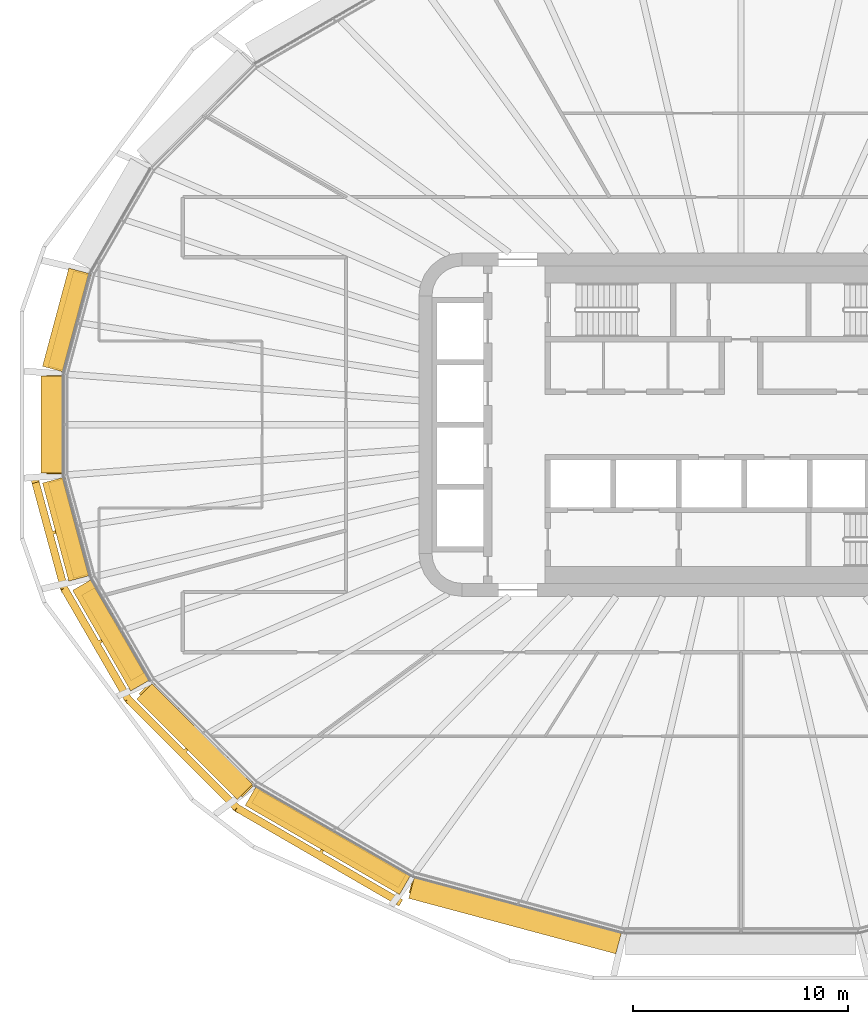
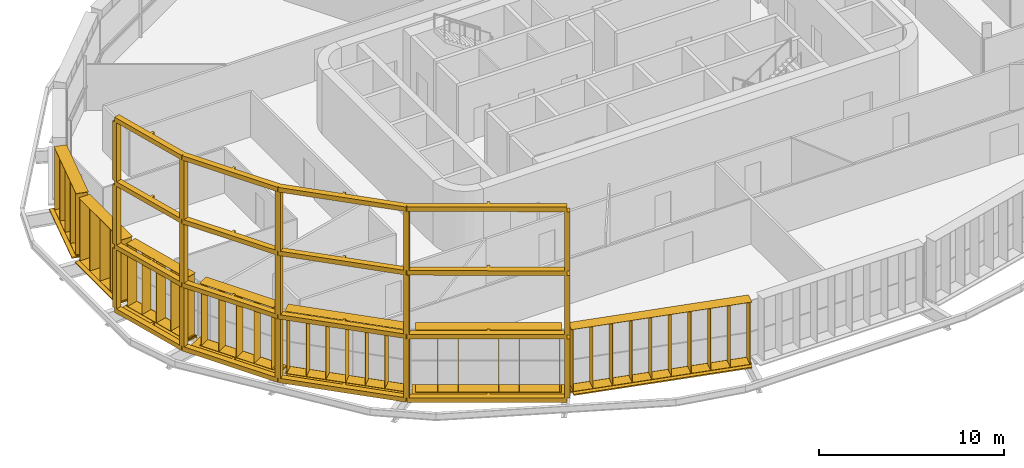
# One storey, part 20 of 25: 15 shading devices.
"""IFC4 building model written with IfcOpenShell, lengths in metres."""

from ifc_helpers import new_model, si_unit, direction, frame, origin, origin_2d, place, context, subcontext, project, spatial, polyline, rectangle, outline, extrude, material, type_object, element, save


model = new_model("IFC4")

# Units and contexts
model_context = context("Model", 3, precision=1e-05, world=origin(), true_north=direction((0.0, 1.0)))
body_context = subcontext(model_context, "Body", "Model", "MODEL_VIEW")
ifc_project = project(units=[si_unit("LENGTHUNIT", "METRE"), si_unit("AREAUNIT", "SQUARE_METRE"), si_unit("VOLUMEUNIT", "CUBIC_METRE"), si_unit("PLANEANGLEUNIT", "RADIAN"), si_unit("MASSUNIT", "GRAM", prefix="KILO")], contexts=[model_context])

# Site, building, storey
site_placement = place(None, origin())
site = spatial("IfcSite", under=ifc_project, at=site_placement, CompositionType="ELEMENT")
building_placement = place(site_placement, origin())
building = spatial("IfcBuilding", under=site, at=building_placement, Name="Sahrelin Media Tower", CompositionType="ELEMENT")
storey_placement = place(building_placement, frame((0.0, 0.0, 135.60009765625)))
storey = spatial("IfcBuildingStorey", under=building, at=storey_placement, Name="L27", CompositionType="ELEMENT", Elevation=135.60009765625)

# Shading devices
ifc_material_1 = material(Name="Dark bronze anodised aluminium 6063-T6", Category="aluminium")
shading_device_type_1 = type_object("IfcShadingDeviceType", Name="Deep frame", PredefinedType="USERDEFINED", material=ifc_material_1)
shading_device_1_placement = place(storey_placement, frame((-31.57861328125, -2.3583984375, 0.0), z_axis=(0.0, 0.0, 1.0), x_axis=(-0.258807731996, 0.965928857556, 0.0)))
element("IfcShadingDevice", 1, at=shading_device_1_placement, inside=storey, type_object=shading_device_type_1, Name="L27:FRAME:F2-4", ObjectType="FRAME", PredefinedType="USERDEFINED", context=body_context, shape_type="SweptSolid", body=[
    extrude(rectangle(XDim=0.300048828125, YDim=0.35009765625, at=origin_2d()), frame((0.0, 1.324951171875, 0.14990234375), z_axis=(0.0, 0.0, 1.0), x_axis=(-1.0, 0.0, 0.0)), (0.0, 0.0, 1.0), 3.900146484375),
    extrude(rectangle(XDim=0.300048828125, YDim=0.35009765625, at=origin_2d()), frame((-5.106201171875, 1.313720703125, 0.14990234375), z_axis=(0.0, 0.0, 1.0), x_axis=(-0.991436202368, -0.130591947046, 0.0)), (0.0, 0.0, 1.0), 3.900146484375),
    extrude(rectangle(XDim=0.300048828125, YDim=0.35009765625, at=origin_2d()), frame((-10.86279296875, -0.228759765625, 0.14990234375), z_axis=(0.0, 0.0, 1.0), x_axis=(-0.923862165937, -0.382725356294, 0.0)), (0.0, 0.0, 1.0), 3.900146484375),
    extrude(rectangle(XDim=0.300048828125, YDim=0.35009765625, at=origin_2d()), frame((-17.0693359375, -3.81201171875, 0.14990234375), z_axis=(0.0, 0.0, 1.0), x_axis=(-0.793315089117, -0.608811275668, 0.0)), (0.0, 0.0, 1.0), 3.900146484375),
    extrude(rectangle(XDim=0.300048828125, YDim=0.35009765625, at=origin_2d()), frame((-23.2109375, -9.9375, 0.14990234375), z_axis=(0.0, 0.0, 1.0), x_axis=(-0.707106781187, -0.707106781187, 0.0)), (0.0, 0.0, 1.0), 3.900146484375),
    extrude(outline(polyline([(-23.33447265625, -9.8134765625), (-23.08740234375, -10.061279296875), (-20.130615234375, -7.1123046875), (-20.00732421875, -7.23583984375), (-19.901123046875, -7.1298828125), (-20.0244140625, -7.006591796875), (-16.9619140625, -3.951904296875), (-13.943603515625, -2.20947265625), (-13.859130859375, -2.35546875), (-13.729248046875, -2.280517578125), (-13.813720703125, -2.134521484375), (-10.79541015625, -0.391845703125), (-8.01171875, 0.35400390625), (-7.968017578125, 0.191162109375), (-7.8232421875, 0.22998046875), (-7.866943359375, 0.392822265625), (-5.0830078125, 1.138671875), (-2.541748046875, 1.144287109375), (-2.541748046875, 0.969970703125), (-2.3916015625, 0.969970703125), (-2.3916015625, 1.144775390625), (0.00048828125, 1.14990234375), (-0.00048828125, 1.5), (-5.106689453125, 1.48876953125), (-5.106201171875, 1.313720703125), (-5.151611328125, 1.482666015625), (-10.908203125, -0.059814453125), (-10.86279296875, -0.228759765625), (-10.950439453125, -0.0771484375), (-17.15673828125, -3.660400390625), (-17.0693359375, -3.81201171875), (-17.19287109375, -3.68798828125), (-23.33447265625, -9.8134765625)])), frame((0.0, 0.0, -0.14990234375)), (0.0, 0.0, 1.0), 0.2998046875),
    extrude(rectangle(XDim=0.300048828125, YDim=0.35009765625, at=origin_2d()), frame((0.0, 1.324951171875, 4.35009765625), z_axis=(0.0, 0.0, 1.0), x_axis=(-1.0, 0.0, 0.0)), (0.0, 0.0, 1.0), 3.89990234375),
    extrude(rectangle(XDim=0.300048828125, YDim=0.35009765625, at=origin_2d()), frame((-5.106201171875, 1.313720703125, 4.35009765625), z_axis=(0.0, 0.0, 1.0), x_axis=(-0.991436202368, -0.130591947046, 0.0)), (0.0, 0.0, 1.0), 3.89990234375),
    extrude(rectangle(XDim=0.300048828125, YDim=0.35009765625, at=origin_2d()), frame((-10.86279296875, -0.228759765625, 4.35009765625), z_axis=(0.0, 0.0, 1.0), x_axis=(-0.923862165937, -0.382725356294, 0.0)), (0.0, 0.0, 1.0), 3.89990234375),
    extrude(rectangle(XDim=0.300048828125, YDim=0.35009765625, at=origin_2d()), frame((-17.0693359375, -3.81201171875, 4.35009765625), z_axis=(0.0, 0.0, 1.0), x_axis=(-0.793315089117, -0.608811275668, 0.0)), (0.0, 0.0, 1.0), 3.89990234375),
    extrude(rectangle(XDim=0.300048828125, YDim=0.35009765625, at=origin_2d()), frame((-23.2109375, -9.9375, 4.35009765625), z_axis=(0.0, 0.0, 1.0), x_axis=(-0.707106781187, -0.707106781187, 0.0)), (0.0, 0.0, 1.0), 3.89990234375),
    extrude(outline(polyline([(-23.33447265625, -9.8134765625), (-23.08740234375, -10.061279296875), (-20.130615234375, -7.1123046875), (-20.00732421875, -7.23583984375), (-19.901123046875, -7.1298828125), (-20.0244140625, -7.006591796875), (-16.9619140625, -3.951904296875), (-13.943603515625, -2.20947265625), (-13.859130859375, -2.35546875), (-13.729248046875, -2.280517578125), (-13.813720703125, -2.134521484375), (-10.79541015625, -0.391845703125), (-8.01171875, 0.35400390625), (-7.968017578125, 0.191162109375), (-7.8232421875, 0.22998046875), (-7.866943359375, 0.392822265625), (-5.0830078125, 1.138671875), (-2.541748046875, 1.144287109375), (-2.541748046875, 0.969970703125), (-2.3916015625, 0.969970703125), (-2.3916015625, 1.144775390625), (0.00048828125, 1.14990234375), (-0.00048828125, 1.5), (-5.106689453125, 1.48876953125), (-5.106201171875, 1.313720703125), (-5.151611328125, 1.482666015625), (-10.908203125, -0.059814453125), (-10.86279296875, -0.228759765625), (-10.950439453125, -0.0771484375), (-17.15673828125, -3.660400390625), (-17.0693359375, -3.81201171875), (-17.19287109375, -3.68798828125), (-23.33447265625, -9.8134765625)])), frame((0.0, 0.0, 4.050048828125)), (0.0, 0.0, 1.0), 0.300048828125),
    extrude(rectangle(XDim=0.300048828125, YDim=0.35009765625, at=origin_2d()), frame((0.0, 1.324951171875, 8.550048828125), z_axis=(0.0, 0.0, 1.0), x_axis=(-1.0, 0.0, 0.0)), (0.0, 0.0, 1.0), 3.89990234375),
    extrude(rectangle(XDim=0.300048828125, YDim=0.35009765625, at=origin_2d()), frame((-5.106201171875, 1.313720703125, 8.550048828125), z_axis=(0.0, 0.0, 1.0), x_axis=(-0.991436202368, -0.130591947046, 0.0)), (0.0, 0.0, 1.0), 3.89990234375),
    extrude(rectangle(XDim=0.300048828125, YDim=0.35009765625, at=origin_2d()), frame((-10.86279296875, -0.228759765625, 8.550048828125), z_axis=(0.0, 0.0, 1.0), x_axis=(-0.923862165937, -0.382725356294, 0.0)), (0.0, 0.0, 1.0), 3.89990234375),
    extrude(rectangle(XDim=0.300048828125, YDim=0.35009765625, at=origin_2d()), frame((-17.0693359375, -3.81201171875, 8.550048828125), z_axis=(0.0, 0.0, 1.0), x_axis=(-0.793315089117, -0.608811275668, 0.0)), (0.0, 0.0, 1.0), 3.89990234375),
    extrude(rectangle(XDim=0.300048828125, YDim=0.35009765625, at=origin_2d()), frame((-23.2109375, -9.9375, 8.550048828125), z_axis=(0.0, 0.0, 1.0), x_axis=(-0.707106781187, -0.707106781187, 0.0)), (0.0, 0.0, 1.0), 3.89990234375),
    extrude(outline(polyline([(-23.33447265625, -9.8134765625), (-23.08740234375, -10.061279296875), (-20.130615234375, -7.1123046875), (-20.00732421875, -7.23583984375), (-19.901123046875, -7.1298828125), (-20.0244140625, -7.006591796875), (-16.9619140625, -3.951904296875), (-13.943603515625, -2.20947265625), (-13.859130859375, -2.35546875), (-13.729248046875, -2.280517578125), (-13.813720703125, -2.134521484375), (-10.79541015625, -0.391845703125), (-8.01171875, 0.35400390625), (-7.968017578125, 0.191162109375), (-7.8232421875, 0.22998046875), (-7.866943359375, 0.392822265625), (-5.0830078125, 1.138671875), (-2.541748046875, 1.144287109375), (-2.541748046875, 0.969970703125), (-2.3916015625, 0.969970703125), (-2.3916015625, 1.144775390625), (0.00048828125, 1.14990234375), (-0.00048828125, 1.5), (-5.106689453125, 1.48876953125), (-5.106201171875, 1.313720703125), (-5.151611328125, 1.482666015625), (-10.908203125, -0.059814453125), (-10.86279296875, -0.228759765625), (-10.950439453125, -0.0771484375), (-17.15673828125, -3.660400390625), (-17.0693359375, -3.81201171875), (-17.19287109375, -3.68798828125), (-23.33447265625, -9.8134765625)])), frame((0.0, 0.0, 8.25)), (0.0, 0.0, 1.0), 0.300048828125),
    extrude(outline(polyline([(-23.33447265625, -9.8134765625), (-23.08740234375, -10.061279296875), (-20.130615234375, -7.1123046875), (-20.00732421875, -7.23583984375), (-19.901123046875, -7.1298828125), (-20.0244140625, -7.006591796875), (-16.9619140625, -3.951904296875), (-13.943603515625, -2.20947265625), (-13.859130859375, -2.35546875), (-13.729248046875, -2.280517578125), (-13.813720703125, -2.134521484375), (-10.79541015625, -0.391845703125), (-8.01171875, 0.35400390625), (-7.968017578125, 0.191162109375), (-7.8232421875, 0.22998046875), (-7.866943359375, 0.392822265625), (-5.0830078125, 1.138671875), (-2.541748046875, 1.144287109375), (-2.541748046875, 0.969970703125), (-2.3916015625, 0.969970703125), (-2.3916015625, 1.144775390625), (0.00048828125, 1.14990234375), (-0.00048828125, 1.5), (-5.106689453125, 1.48876953125), (-5.106201171875, 1.313720703125), (-5.151611328125, 1.482666015625), (-10.908203125, -0.059814453125), (-10.86279296875, -0.228759765625), (-10.950439453125, -0.0771484375), (-17.15673828125, -3.660400390625), (-17.0693359375, -3.81201171875), (-17.19287109375, -3.68798828125), (-23.33447265625, -9.8134765625)])), frame((0.0, 0.0, 12.449951171875)), (0.0, 0.0, 1.0), 0.300048828125),
])
ifc_material_2 = material(Name="Champagne anodised aluminium 6063-T6", Category="aluminium")
shading_device_type_2 = type_object("IfcShadingDeviceType", Name="Fin cassette", PredefinedType="USERDEFINED", material=ifc_material_2)
placement_1 = place(storey_placement, frame((-30.940185546875, 4.7412109375, 0.0), z_axis=(0.0, 0.0, 1.0), x_axis=(0.258807731996, 0.965928857556, 0.0)))
element("IfcShadingDevice", 2, at=placement_1, inside=storey, type_object=shading_device_type_2, Name="L27:FIN:L27-11", ObjectType="FIN", PredefinedType="USERDEFINED", context=body_context, shape_type="SweptSolid", body=[
    extrude(rectangle(XDim=4.60009765625, YDim=0.699951171875, at=origin_2d()), frame((0.0, 0.419921875, 0.0)), (0.0, 0.0, 1.0), 0.02001953125),
    extrude(rectangle(XDim=4.60009765625, YDim=0.699951171875, at=origin_2d()), frame((0.0, 0.419921875, 4.10009765625)), (0.0, 0.0, 1.0), 0.02001953125),
    extrude(rectangle(XDim=0.02001953125, YDim=0.699951171875, at=origin_2d()), frame((-2.199951171875, 0.419921875, 0.010009765625), z_axis=(0.0, 0.0, 1.0), x_axis=(1.0, 0.0, 0.0)), (0.0, 0.0, 1.0), 4.10009765625),
    extrude(rectangle(XDim=0.02001953125, YDim=0.699951171875, at=origin_2d()), frame((-1.10009765625, 0.419921875, 0.010009765625), z_axis=(0.0, 0.0, 1.0), x_axis=(1.0, 0.0, 0.0)), (0.0, 0.0, 1.0), 4.10009765625),
    extrude(rectangle(XDim=0.02001953125, YDim=0.699951171875, at=origin_2d()), frame((0.0, 0.419921875, 0.010009765625), z_axis=(0.0, 0.0, 1.0), x_axis=(1.0, 0.0, 0.0)), (0.0, 0.0, 1.0), 4.10009765625),
    extrude(rectangle(XDim=0.02001953125, YDim=0.699951171875, at=origin_2d()), frame((1.10009765625, 0.419921875, 0.010009765625), z_axis=(0.0, 0.0, 1.0), x_axis=(1.0, 0.0, 0.0)), (0.0, 0.0, 1.0), 4.10009765625),
    extrude(rectangle(XDim=0.02001953125, YDim=0.699951171875, at=origin_2d()), frame((2.199951171875, 0.419921875, 0.010009765625), z_axis=(0.0, 0.0, 1.0), x_axis=(1.0, 0.0, 0.0)), (0.0, 0.0, 1.0), 4.10009765625),
])
placement_2 = place(storey_placement, frame((-31.57861328125, 0.0, 0.0), z_axis=(0.0, 0.0, 1.0), x_axis=(0.0, 1.0, 0.0)))
element("IfcShadingDevice", 3, at=placement_2, inside=storey, type_object=shading_device_type_2, Name="L27:FIN:L27-12", ObjectType="FIN", PredefinedType="USERDEFINED", context=body_context, shape_type="SweptSolid", body=[
    extrude(rectangle(XDim=4.60009765625, YDim=0.699951171875, at=origin_2d()), frame((0.0, 0.419921875, 0.0)), (0.0, 0.0, 1.0), 0.02001953125),
    extrude(rectangle(XDim=4.60009765625, YDim=0.699951171875, at=origin_2d()), frame((0.0, 0.419921875, 4.10009765625)), (0.0, 0.0, 1.0), 0.02001953125),
    extrude(rectangle(XDim=0.02001953125, YDim=0.699951171875, at=origin_2d()), frame((-2.199951171875, 0.419921875, 0.010009765625), z_axis=(0.0, 0.0, 1.0), x_axis=(1.0, 0.0, 0.0)), (0.0, 0.0, 1.0), 4.10009765625),
    extrude(rectangle(XDim=0.02001953125, YDim=0.699951171875, at=origin_2d()), frame((-1.10009765625, 0.419921875, 0.010009765625), z_axis=(0.0, 0.0, 1.0), x_axis=(1.0, 0.0, 0.0)), (0.0, 0.0, 1.0), 4.10009765625),
    extrude(rectangle(XDim=0.02001953125, YDim=0.699951171875, at=origin_2d()), frame((0.0, 0.419921875, 0.010009765625), z_axis=(0.0, 0.0, 1.0), x_axis=(1.0, 0.0, 0.0)), (0.0, 0.0, 1.0), 4.10009765625),
    extrude(rectangle(XDim=0.02001953125, YDim=0.699951171875, at=origin_2d()), frame((1.10009765625, 0.419921875, 0.010009765625), z_axis=(0.0, 0.0, 1.0), x_axis=(1.0, 0.0, 0.0)), (0.0, 0.0, 1.0), 4.10009765625),
    extrude(rectangle(XDim=0.02001953125, YDim=0.699951171875, at=origin_2d()), frame((2.199951171875, 0.419921875, 0.010009765625), z_axis=(0.0, 0.0, 1.0), x_axis=(1.0, 0.0, 0.0)), (0.0, 0.0, 1.0), 4.10009765625),
])
placement_3 = place(storey_placement, frame((-30.940185546875, -4.7412109375, 0.0), z_axis=(0.0, 0.0, 1.0), x_axis=(-0.258807731996, 0.965928857556, 0.0)))
element("IfcShadingDevice", 4, at=placement_3, inside=storey, type_object=shading_device_type_2, Name="L27:FIN:L27-13", ObjectType="FIN", PredefinedType="USERDEFINED", context=body_context, shape_type="SweptSolid", body=[
    extrude(rectangle(XDim=4.60009765625, YDim=0.699951171875, at=origin_2d()), frame((0.0, 0.419921875, 0.0)), (0.0, 0.0, 1.0), 0.02001953125),
    extrude(rectangle(XDim=4.60009765625, YDim=0.699951171875, at=origin_2d()), frame((0.0, 0.419921875, 4.10009765625)), (0.0, 0.0, 1.0), 0.02001953125),
    extrude(rectangle(XDim=0.02001953125, YDim=0.699951171875, at=origin_2d()), frame((-2.199951171875, 0.419921875, 0.010009765625), z_axis=(0.0, 0.0, 1.0), x_axis=(1.0, 0.0, 0.0)), (0.0, 0.0, 1.0), 4.10009765625),
    extrude(rectangle(XDim=0.02001953125, YDim=0.699951171875, at=origin_2d()), frame((-1.10009765625, 0.419921875, 0.010009765625), z_axis=(0.0, 0.0, 1.0), x_axis=(1.0, 0.0, 0.0)), (0.0, 0.0, 1.0), 4.10009765625),
    extrude(rectangle(XDim=0.02001953125, YDim=0.699951171875, at=origin_2d()), frame((0.0, 0.419921875, 0.010009765625), z_axis=(0.0, 0.0, 1.0), x_axis=(1.0, 0.0, 0.0)), (0.0, 0.0, 1.0), 4.10009765625),
    extrude(rectangle(XDim=0.02001953125, YDim=0.699951171875, at=origin_2d()), frame((1.10009765625, 0.419921875, 0.010009765625), z_axis=(0.0, 0.0, 1.0), x_axis=(1.0, 0.0, 0.0)), (0.0, 0.0, 1.0), 4.10009765625),
    extrude(rectangle(XDim=0.02001953125, YDim=0.699951171875, at=origin_2d()), frame((2.199951171875, 0.419921875, 0.010009765625), z_axis=(0.0, 0.0, 1.0), x_axis=(1.0, 0.0, 0.0)), (0.0, 0.0, 1.0), 4.10009765625),
])
placement_4 = place(storey_placement, frame((-28.8984375, -9.5546875, 0.0), z_axis=(0.0, 0.0, 1.0), x_axis=(-0.500011000363, 0.866019052629, 0.0)))
element("IfcShadingDevice", 5, at=placement_4, inside=storey, type_object=shading_device_type_2, Name="L27:FIN:L27-14", ObjectType="FIN", PredefinedType="USERDEFINED", context=body_context, shape_type="SweptSolid", body=[
    extrude(rectangle(XDim=4.60009765625, YDim=0.699951171875, at=origin_2d()), frame((0.0, 0.419921875, 0.0)), (0.0, 0.0, 1.0), 0.02001953125),
    extrude(rectangle(XDim=4.60009765625, YDim=0.699951171875, at=origin_2d()), frame((0.0, 0.419921875, 4.10009765625)), (0.0, 0.0, 1.0), 0.02001953125),
    extrude(rectangle(XDim=0.02001953125, YDim=0.699951171875, at=origin_2d()), frame((-2.199951171875, 0.419921875, 0.010009765625), z_axis=(0.0, 0.0, 1.0), x_axis=(1.0, 0.0, 0.0)), (0.0, 0.0, 1.0), 4.10009765625),
    extrude(rectangle(XDim=0.02001953125, YDim=0.699951171875, at=origin_2d()), frame((-1.10009765625, 0.419921875, 0.010009765625), z_axis=(0.0, 0.0, 1.0), x_axis=(1.0, 0.0, 0.0)), (0.0, 0.0, 1.0), 4.10009765625),
    extrude(rectangle(XDim=0.02001953125, YDim=0.699951171875, at=origin_2d()), frame((0.0, 0.419921875, 0.010009765625), z_axis=(0.0, 0.0, 1.0), x_axis=(1.0, 0.0, 0.0)), (0.0, 0.0, 1.0), 4.10009765625),
    extrude(rectangle(XDim=0.02001953125, YDim=0.699951171875, at=origin_2d()), frame((1.10009765625, 0.419921875, 0.010009765625), z_axis=(0.0, 0.0, 1.0), x_axis=(1.0, 0.0, 0.0)), (0.0, 0.0, 1.0), 4.10009765625),
    extrude(rectangle(XDim=0.02001953125, YDim=0.699951171875, at=origin_2d()), frame((2.199951171875, 0.419921875, 0.010009765625), z_axis=(0.0, 0.0, 1.0), x_axis=(1.0, 0.0, 0.0)), (0.0, 0.0, 1.0), 4.10009765625),
])
placement_5 = place(storey_placement, frame((-25.08349609375, -14.39697265625, 0.0), z_axis=(0.0, 0.0, 1.0), x_axis=(-0.707106781187, 0.707106781187, 0.0)))
element("IfcShadingDevice", 6, at=placement_5, inside=storey, type_object=shading_device_type_2, Name="L27:FIN:L27-15", ObjectType="FIN", PredefinedType="USERDEFINED", context=body_context, shape_type="SweptSolid", body=[
    extrude(rectangle(XDim=6.800048828125, YDim=0.699951171875, at=origin_2d()), frame((0.0, 0.419921875, 0.0)), (0.0, 0.0, 1.0), 0.02001953125),
    extrude(rectangle(XDim=6.800048828125, YDim=0.699951171875, at=origin_2d()), frame((0.0, 0.419921875, 4.10009765625)), (0.0, 0.0, 1.0), 0.02001953125),
    extrude(rectangle(XDim=0.02001953125, YDim=0.699951171875, at=origin_2d()), frame((-3.300048828125, 0.419921875, 0.010009765625), z_axis=(0.0, 0.0, 1.0), x_axis=(1.0, 0.0, 0.0)), (0.0, 0.0, 1.0), 4.10009765625),
    extrude(rectangle(XDim=0.02001953125, YDim=0.699951171875, at=origin_2d()), frame((-2.199951171875, 0.419921875, 0.010009765625), z_axis=(0.0, 0.0, 1.0), x_axis=(1.0, 0.0, 0.0)), (0.0, 0.0, 1.0), 4.10009765625),
    extrude(rectangle(XDim=0.02001953125, YDim=0.699951171875, at=origin_2d()), frame((-1.10009765625, 0.419921875, 0.010009765625), z_axis=(0.0, 0.0, 1.0), x_axis=(1.0, 0.0, 0.0)), (0.0, 0.0, 1.0), 4.10009765625),
    extrude(rectangle(XDim=0.02001953125, YDim=0.699951171875, at=origin_2d()), frame((0.0, 0.419921875, 0.010009765625), z_axis=(0.0, 0.0, 1.0), x_axis=(1.0, 0.0, 0.0)), (0.0, 0.0, 1.0), 4.10009765625),
    extrude(rectangle(XDim=0.02001953125, YDim=0.699951171875, at=origin_2d()), frame((1.10009765625, 0.419921875, 0.010009765625), z_axis=(0.0, 0.0, 1.0), x_axis=(1.0, 0.0, 0.0)), (0.0, 0.0, 1.0), 4.10009765625),
    extrude(rectangle(XDim=0.02001953125, YDim=0.699951171875, at=origin_2d()), frame((2.199951171875, 0.419921875, 0.010009765625), z_axis=(0.0, 0.0, 1.0), x_axis=(1.0, 0.0, 0.0)), (0.0, 0.0, 1.0), 4.10009765625),
    extrude(rectangle(XDim=0.02001953125, YDim=0.699951171875, at=origin_2d()), frame((3.300048828125, 0.419921875, 0.010009765625), z_axis=(0.0, 0.0, 1.0), x_axis=(1.0, 0.0, 0.0)), (0.0, 0.0, 1.0), 4.10009765625),
])
placement_6 = place(storey_placement, frame((-18.990966796875, -18.93359375, 0.0), z_axis=(0.0, 0.0, 1.0), x_axis=(-0.866019052629, 0.500011000363, 0.0)))
element("IfcShadingDevice", 7, at=placement_6, inside=storey, type_object=shading_device_type_2, Name="L27:FIN:L27-16", ObjectType="FIN", PredefinedType="USERDEFINED", context=body_context, shape_type="SweptSolid", body=[
    extrude(rectangle(XDim=7.89990234375, YDim=0.699951171875, at=origin_2d()), frame((0.0, 0.419921875, 0.0)), (0.0, 0.0, 1.0), 0.02001953125),
    extrude(rectangle(XDim=7.89990234375, YDim=0.699951171875, at=origin_2d()), frame((0.0, 0.419921875, 4.10009765625)), (0.0, 0.0, 1.0), 0.02001953125),
    extrude(rectangle(XDim=0.02001953125, YDim=0.699951171875, at=origin_2d()), frame((-3.85009765625, 0.419921875, 0.010009765625), z_axis=(0.0, 0.0, 1.0), x_axis=(1.0, 0.0, 0.0)), (0.0, 0.0, 1.0), 4.10009765625),
    extrude(rectangle(XDim=0.02001953125, YDim=0.699951171875, at=origin_2d()), frame((-2.75, 0.419921875, 0.010009765625), z_axis=(0.0, 0.0, 1.0), x_axis=(1.0, 0.0, 0.0)), (0.0, 0.0, 1.0), 4.10009765625),
    extrude(rectangle(XDim=0.02001953125, YDim=0.699951171875, at=origin_2d()), frame((-1.64990234375, 0.419921875, 0.010009765625), z_axis=(0.0, 0.0, 1.0), x_axis=(1.0, 0.0, 0.0)), (0.0, 0.0, 1.0), 4.10009765625),
    extrude(rectangle(XDim=0.02001953125, YDim=0.699951171875, at=origin_2d()), frame((-0.550048828125, 0.419921875, 0.010009765625), z_axis=(0.0, 0.0, 1.0), x_axis=(1.0, 0.0, 0.0)), (0.0, 0.0, 1.0), 4.10009765625),
    extrude(rectangle(XDim=0.02001953125, YDim=0.699951171875, at=origin_2d()), frame((0.550048828125, 0.419921875, 0.010009765625), z_axis=(0.0, 0.0, 1.0), x_axis=(1.0, 0.0, 0.0)), (0.0, 0.0, 1.0), 4.10009765625),
    extrude(rectangle(XDim=0.02001953125, YDim=0.699951171875, at=origin_2d()), frame((1.64990234375, 0.419921875, 0.010009765625), z_axis=(0.0, 0.0, 1.0), x_axis=(1.0, 0.0, 0.0)), (0.0, 0.0, 1.0), 4.10009765625),
    extrude(rectangle(XDim=0.02001953125, YDim=0.699951171875, at=origin_2d()), frame((2.75, 0.419921875, 0.010009765625), z_axis=(0.0, 0.0, 1.0), x_axis=(1.0, 0.0, 0.0)), (0.0, 0.0, 1.0), 4.10009765625),
    extrude(rectangle(XDim=0.02001953125, YDim=0.699951171875, at=origin_2d()), frame((3.85009765625, 0.419921875, 0.010009765625), z_axis=(0.0, 0.0, 1.0), x_axis=(1.0, 0.0, 0.0)), (0.0, 0.0, 1.0), 4.10009765625),
])
placement_7 = place(storey_placement, frame((-10.389404296875, -22.377197265625, 0.0), z_axis=(0.0, 0.0, 1.0), x_axis=(-0.965928857556, 0.258807731996, 0.0)))
element("IfcShadingDevice", 8, at=placement_7, inside=storey, type_object=shading_device_type_2, Name="L27:FIN:L27-17", ObjectType="FIN", PredefinedType="USERDEFINED", context=body_context, shape_type="SweptSolid", body=[
    extrude(rectangle(XDim=10.10009765625, YDim=0.699951171875, at=origin_2d()), frame((0.0, 0.419921875, 0.0)), (0.0, 0.0, 1.0), 0.02001953125),
    extrude(rectangle(XDim=10.10009765625, YDim=0.699951171875, at=origin_2d()), frame((0.0, 0.419921875, 4.10009765625)), (0.0, 0.0, 1.0), 0.02001953125),
    extrude(rectangle(XDim=0.02001953125, YDim=0.699951171875, at=origin_2d()), frame((-4.949951171875, 0.419921875, 0.010009765625), z_axis=(0.0, 0.0, 1.0), x_axis=(1.0, 0.0, 0.0)), (0.0, 0.0, 1.0), 4.10009765625),
    extrude(rectangle(XDim=0.02001953125, YDim=0.699951171875, at=origin_2d()), frame((-3.85009765625, 0.419921875, 0.010009765625), z_axis=(0.0, 0.0, 1.0), x_axis=(1.0, 0.0, 0.0)), (0.0, 0.0, 1.0), 4.10009765625),
    extrude(rectangle(XDim=0.02001953125, YDim=0.699951171875, at=origin_2d()), frame((-2.75, 0.419921875, 0.010009765625), z_axis=(0.0, 0.0, 1.0), x_axis=(1.0, 0.0, 0.0)), (0.0, 0.0, 1.0), 4.10009765625),
    extrude(rectangle(XDim=0.02001953125, YDim=0.699951171875, at=origin_2d()), frame((-1.64990234375, 0.419921875, 0.010009765625), z_axis=(0.0, 0.0, 1.0), x_axis=(1.0, 0.0, 0.0)), (0.0, 0.0, 1.0), 4.10009765625),
    extrude(rectangle(XDim=0.02001953125, YDim=0.699951171875, at=origin_2d()), frame((-0.550048828125, 0.419921875, 0.010009765625), z_axis=(0.0, 0.0, 1.0), x_axis=(1.0, 0.0, 0.0)), (0.0, 0.0, 1.0), 4.10009765625),
    extrude(rectangle(XDim=0.02001953125, YDim=0.699951171875, at=origin_2d()), frame((0.550048828125, 0.419921875, 0.010009765625), z_axis=(0.0, 0.0, 1.0), x_axis=(1.0, 0.0, 0.0)), (0.0, 0.0, 1.0), 4.10009765625),
    extrude(rectangle(XDim=0.02001953125, YDim=0.699951171875, at=origin_2d()), frame((1.64990234375, 0.419921875, 0.010009765625), z_axis=(0.0, 0.0, 1.0), x_axis=(1.0, 0.0, 0.0)), (0.0, 0.0, 1.0), 4.10009765625),
    extrude(rectangle(XDim=0.02001953125, YDim=0.699951171875, at=origin_2d()), frame((2.75, 0.419921875, 0.010009765625), z_axis=(0.0, 0.0, 1.0), x_axis=(1.0, 0.0, 0.0)), (0.0, 0.0, 1.0), 4.10009765625),
    extrude(rectangle(XDim=0.02001953125, YDim=0.699951171875, at=origin_2d()), frame((3.85009765625, 0.419921875, 0.010009765625), z_axis=(0.0, 0.0, 1.0), x_axis=(1.0, 0.0, 0.0)), (0.0, 0.0, 1.0), 4.10009765625),
    extrude(rectangle(XDim=0.02001953125, YDim=0.699951171875, at=origin_2d()), frame((4.949951171875, 0.419921875, 0.010009765625), z_axis=(0.0, 0.0, 1.0), x_axis=(1.0, 0.0, 0.0)), (0.0, 0.0, 1.0), 4.10009765625),
])
shading_device_type_3 = type_object("IfcShadingDeviceType", Name="Sunshade band", PredefinedType="USERDEFINED", material=ifc_material_2)
element("IfcShadingDevice", 9, at=placement_1, inside=storey, type_object=shading_device_type_3, Name="L27:SUN:L27-11", ObjectType="SUNSHADE", PredefinedType="USERDEFINED", context=body_context, shape_type="SweptSolid", body=[
    extrude(rectangle(XDim=4.7333984375, YDim=0.050048828125, at=origin_2d()), frame((0.0, 0.044921875, -0.55126953125)), (0.0, 0.0, 1.0), 0.471435546875),
    extrude(rectangle(XDim=4.7333984375, YDim=1.0, at=origin_2d()), frame((0.0, 0.52001953125, -0.080078125)), (0.0, 0.0, 1.0), 0.080078125),
    extrude(rectangle(XDim=0.10009765625, YDim=0.074951171875, at=origin_2d()), frame((-2.2666015625, -0.017578125, -0.47021484375)), (0.0, 0.0, 1.0), 0.300048828125),
    extrude(rectangle(XDim=0.10009765625, YDim=0.074951171875, at=origin_2d()), frame((-0.755615234375, -0.017578125, -0.47021484375)), (0.0, 0.0, 1.0), 0.300048828125),
    extrude(rectangle(XDim=0.10009765625, YDim=0.074951171875, at=origin_2d()), frame((0.755615234375, -0.017578125, -0.47021484375)), (0.0, 0.0, 1.0), 0.300048828125),
    extrude(rectangle(XDim=0.10009765625, YDim=0.074951171875, at=origin_2d()), frame((2.2666015625, -0.017578125, -0.47021484375)), (0.0, 0.0, 1.0), 0.300048828125),
])
element("IfcShadingDevice", 10, at=placement_2, inside=storey, type_object=shading_device_type_3, Name="L27:SUN:L27-12", ObjectType="SUNSHADE", PredefinedType="USERDEFINED", context=body_context, shape_type="SweptSolid", body=[
    extrude(rectangle(XDim=4.51708984375, YDim=0.050048828125, at=origin_2d()), frame((0.0, 0.044921875, -0.55126953125)), (0.0, 0.0, 1.0), 0.471435546875),
    extrude(rectangle(XDim=4.51708984375, YDim=1.0, at=origin_2d()), frame((0.0, 0.52001953125, -0.080078125)), (0.0, 0.0, 1.0), 0.080078125),
    extrude(rectangle(XDim=0.10009765625, YDim=0.074951171875, at=origin_2d()), frame((-2.158447265625, -0.017578125, -0.47021484375)), (0.0, 0.0, 1.0), 0.300048828125),
    extrude(rectangle(XDim=0.10009765625, YDim=0.074951171875, at=origin_2d()), frame((-0.719482421875, -0.017578125, -0.47021484375)), (0.0, 0.0, 1.0), 0.300048828125),
    extrude(rectangle(XDim=0.10009765625, YDim=0.074951171875, at=origin_2d()), frame((0.719482421875, -0.017578125, -0.47021484375)), (0.0, 0.0, 1.0), 0.300048828125),
    extrude(rectangle(XDim=0.10009765625, YDim=0.074951171875, at=origin_2d()), frame((2.158447265625, -0.017578125, -0.47021484375)), (0.0, 0.0, 1.0), 0.300048828125),
])
element("IfcShadingDevice", 11, at=placement_3, inside=storey, type_object=shading_device_type_3, Name="L27:SUN:L27-13", ObjectType="SUNSHADE", PredefinedType="USERDEFINED", context=body_context, shape_type="SweptSolid", body=[
    extrude(rectangle(XDim=4.7333984375, YDim=0.050048828125, at=origin_2d()), frame((0.0, 0.044921875, -0.55126953125)), (0.0, 0.0, 1.0), 0.471435546875),
    extrude(rectangle(XDim=4.7333984375, YDim=1.0, at=origin_2d()), frame((0.0, 0.52001953125, -0.080078125)), (0.0, 0.0, 1.0), 0.080078125),
    extrude(rectangle(XDim=0.10009765625, YDim=0.074951171875, at=origin_2d()), frame((-2.2666015625, -0.017578125, -0.47021484375)), (0.0, 0.0, 1.0), 0.300048828125),
    extrude(rectangle(XDim=0.10009765625, YDim=0.074951171875, at=origin_2d()), frame((-0.755615234375, -0.017578125, -0.47021484375)), (0.0, 0.0, 1.0), 0.300048828125),
    extrude(rectangle(XDim=0.10009765625, YDim=0.074951171875, at=origin_2d()), frame((0.755615234375, -0.017578125, -0.47021484375)), (0.0, 0.0, 1.0), 0.300048828125),
    extrude(rectangle(XDim=0.10009765625, YDim=0.074951171875, at=origin_2d()), frame((2.2666015625, -0.017578125, -0.47021484375)), (0.0, 0.0, 1.0), 0.300048828125),
])
element("IfcShadingDevice", 12, at=placement_4, inside=storey, type_object=shading_device_type_3, Name="L27:SUN:L27-14", ObjectType="SUNSHADE", PredefinedType="USERDEFINED", context=body_context, shape_type="SweptSolid", body=[
    extrude(rectangle(XDim=5.413818359375, YDim=0.050048828125, at=origin_2d()), frame((0.0, 0.044921875, -0.55126953125)), (0.0, 0.0, 1.0), 0.471435546875),
    extrude(rectangle(XDim=5.413818359375, YDim=1.0, at=origin_2d()), frame((0.0, 0.52001953125, -0.080078125)), (0.0, 0.0, 1.0), 0.080078125),
    extrude(rectangle(XDim=0.10009765625, YDim=0.074951171875, at=origin_2d()), frame((-2.606689453125, -0.017578125, -0.47021484375)), (0.0, 0.0, 1.0), 0.300048828125),
    extrude(rectangle(XDim=0.10009765625, YDim=0.074951171875, at=origin_2d()), frame((-0.868896484375, -0.017578125, -0.47021484375)), (0.0, 0.0, 1.0), 0.300048828125),
    extrude(rectangle(XDim=0.10009765625, YDim=0.074951171875, at=origin_2d()), frame((0.868896484375, -0.017578125, -0.47021484375)), (0.0, 0.0, 1.0), 0.300048828125),
    extrude(rectangle(XDim=0.10009765625, YDim=0.074951171875, at=origin_2d()), frame((2.606689453125, -0.017578125, -0.47021484375)), (0.0, 0.0, 1.0), 0.300048828125),
])
element("IfcShadingDevice", 13, at=placement_5, inside=storey, type_object=shading_device_type_3, Name="L27:SUN:L27-15", ObjectType="SUNSHADE", PredefinedType="USERDEFINED", context=body_context, shape_type="SweptSolid", body=[
    extrude(rectangle(XDim=6.62060546875, YDim=0.050048828125, at=origin_2d()), frame((0.0, 0.044921875, -0.55126953125)), (0.0, 0.0, 1.0), 0.471435546875),
    extrude(rectangle(XDim=6.62060546875, YDim=1.0, at=origin_2d()), frame((0.0, 0.52001953125, -0.080078125)), (0.0, 0.0, 1.0), 0.080078125),
    extrude(rectangle(XDim=0.10009765625, YDim=0.074951171875, at=origin_2d()), frame((-3.210205078125, -0.017578125, -0.47021484375)), (0.0, 0.0, 1.0), 0.300048828125),
    extrude(rectangle(XDim=0.10009765625, YDim=0.074951171875, at=origin_2d()), frame((-1.605224609375, -0.017578125, -0.47021484375)), (0.0, 0.0, 1.0), 0.300048828125),
    extrude(rectangle(XDim=0.10009765625, YDim=0.074951171875, at=origin_2d()), frame((0.0, -0.017578125, -0.47021484375)), (0.0, 0.0, 1.0), 0.300048828125),
    extrude(rectangle(XDim=0.10009765625, YDim=0.074951171875, at=origin_2d()), frame((1.605224609375, -0.017578125, -0.47021484375)), (0.0, 0.0, 1.0), 0.300048828125),
    extrude(rectangle(XDim=0.10009765625, YDim=0.074951171875, at=origin_2d()), frame((3.210205078125, -0.017578125, -0.47021484375)), (0.0, 0.0, 1.0), 0.300048828125),
])
element("IfcShadingDevice", 14, at=placement_6, inside=storey, type_object=shading_device_type_3, Name="L27:SUN:L27-16", ObjectType="SUNSHADE", PredefinedType="USERDEFINED", context=body_context, shape_type="SweptSolid", body=[
    extrude(rectangle(XDim=8.30126953125, YDim=0.050048828125, at=origin_2d()), frame((0.0, 0.044921875, -0.55126953125)), (0.0, 0.0, 1.0), 0.471435546875),
    extrude(rectangle(XDim=8.30126953125, YDim=1.0, at=origin_2d()), frame((0.0, 0.52001953125, -0.080078125)), (0.0, 0.0, 1.0), 0.080078125),
    extrude(rectangle(XDim=0.10009765625, YDim=0.074951171875, at=origin_2d()), frame((-4.050537109375, -0.017578125, -0.47021484375)), (0.0, 0.0, 1.0), 0.300048828125),
    extrude(rectangle(XDim=0.10009765625, YDim=0.074951171875, at=origin_2d()), frame((-2.430419921875, -0.017578125, -0.47021484375)), (0.0, 0.0, 1.0), 0.300048828125),
    extrude(rectangle(XDim=0.10009765625, YDim=0.074951171875, at=origin_2d()), frame((-0.81005859375, -0.017578125, -0.47021484375)), (0.0, 0.0, 1.0), 0.300048828125),
    extrude(rectangle(XDim=0.10009765625, YDim=0.074951171875, at=origin_2d()), frame((0.81005859375, -0.017578125, -0.47021484375)), (0.0, 0.0, 1.0), 0.300048828125),
    extrude(rectangle(XDim=0.10009765625, YDim=0.074951171875, at=origin_2d()), frame((2.430419921875, -0.017578125, -0.47021484375)), (0.0, 0.0, 1.0), 0.300048828125),
    extrude(rectangle(XDim=0.10009765625, YDim=0.074951171875, at=origin_2d()), frame((4.050537109375, -0.017578125, -0.47021484375)), (0.0, 0.0, 1.0), 0.300048828125),
])
element("IfcShadingDevice", 15, at=placement_7, inside=storey, type_object=shading_device_type_3, Name="L27:SUN:L27-17", ObjectType="SUNSHADE", PredefinedType="USERDEFINED", context=body_context, shape_type="SweptSolid", body=[
    extrude(rectangle(XDim=9.98779296875, YDim=0.050048828125, at=origin_2d()), frame((0.0, 0.044921875, -0.55126953125)), (0.0, 0.0, 1.0), 0.471435546875),
    extrude(rectangle(XDim=9.98779296875, YDim=1.0, at=origin_2d()), frame((0.0, 0.52001953125, -0.080078125)), (0.0, 0.0, 1.0), 0.080078125),
    extrude(rectangle(XDim=0.10009765625, YDim=0.074951171875, at=origin_2d()), frame((-4.893798828125, -0.017578125, -0.47021484375)), (0.0, 0.0, 1.0), 0.300048828125),
    extrude(rectangle(XDim=0.10009765625, YDim=0.074951171875, at=origin_2d()), frame((-2.936279296875, -0.017578125, -0.47021484375)), (0.0, 0.0, 1.0), 0.300048828125),
    extrude(rectangle(XDim=0.10009765625, YDim=0.074951171875, at=origin_2d()), frame((-0.978759765625, -0.017578125, -0.47021484375)), (0.0, 0.0, 1.0), 0.300048828125),
    extrude(rectangle(XDim=0.10009765625, YDim=0.074951171875, at=origin_2d()), frame((0.978759765625, -0.017578125, -0.47021484375)), (0.0, 0.0, 1.0), 0.300048828125),
    extrude(rectangle(XDim=0.10009765625, YDim=0.074951171875, at=origin_2d()), frame((2.936279296875, -0.017578125, -0.47021484375)), (0.0, 0.0, 1.0), 0.300048828125),
    extrude(rectangle(XDim=0.10009765625, YDim=0.074951171875, at=origin_2d()), frame((4.893798828125, -0.017578125, -0.47021484375)), (0.0, 0.0, 1.0), 0.300048828125),
])

save(model, "model.ifc")
